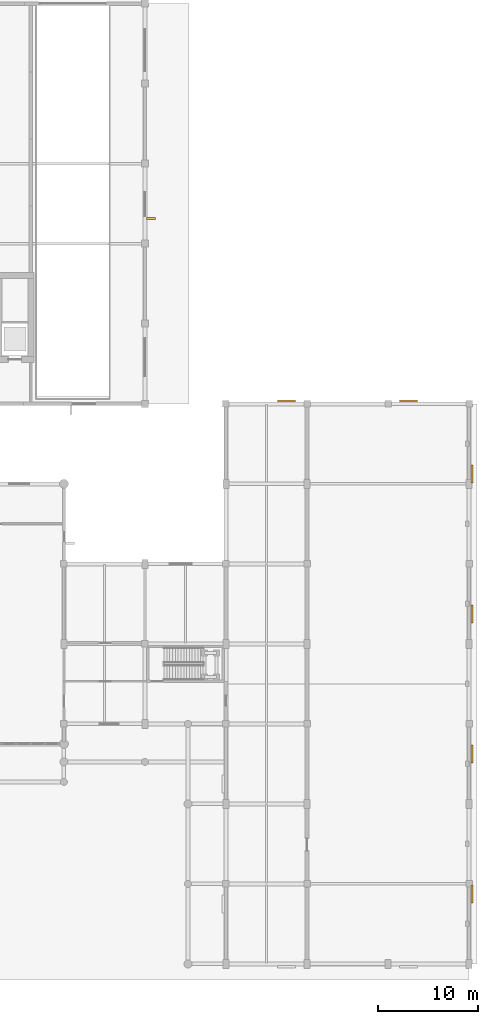
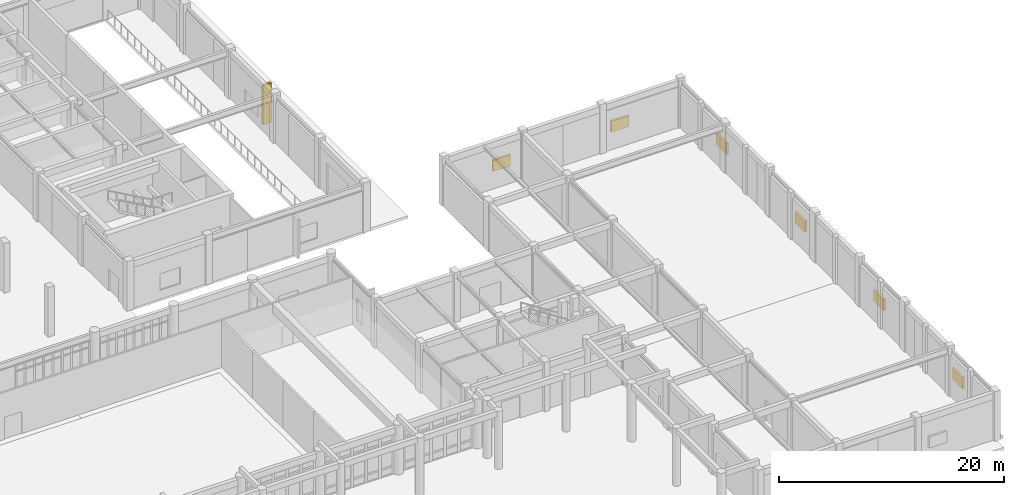
# One storey, part 61 of 62: 7 shading devices.
"""IFC4 building model written with IfcOpenShell, lengths in metres."""

from ifc_helpers import new_model, si_unit, direction, frame, origin, origin_2d, place, context, subcontext, project, spatial, rectangle, extrude, material, layer, layer_set, material_profile, profile_set, type_object, element, save


model = new_model("IFC4")

# Units and contexts
model_context = context("Model", 3, precision=1e-05, world=origin(), true_north=direction((0.0, 1.0)))
body_context = subcontext(model_context, "Body", "Model", "MODEL_VIEW")
ifc_project = project(units=[si_unit("LENGTHUNIT", "METRE"), si_unit("AREAUNIT", "SQUARE_METRE"), si_unit("VOLUMEUNIT", "CUBIC_METRE"), si_unit("PLANEANGLEUNIT", "RADIAN"), si_unit("MASSUNIT", "GRAM", prefix="KILO")], contexts=[model_context])

# Site, building, storey
site_placement = place(None, origin())
site = spatial("IfcSite", under=ifc_project, at=site_placement, CompositionType="ELEMENT")
building_placement = place(site_placement, origin())
building = spatial("IfcBuilding", under=site, at=building_placement, Name="Tarnveldt Square Police Headquarters", CompositionType="ELEMENT")
storey_placement = place(building_placement, origin())
storey = spatial("IfcBuildingStorey", under=building, at=storey_placement, Name="L00", CompositionType="ELEMENT", Elevation=0.0)

# Shading devices
ifc_material_1 = material(Name="Precast concrete 35 MPa", Category="concrete")
ifc_material_profile = material_profile(ifc_material_1, rectangle(XDim=0.219970703125, YDim=0.89990234375, at=origin_2d()), Name="PC-FIN220x900")
ifc_profile_set = profile_set([ifc_material_profile], Name="Precast concrete 35 MPa")
shading_device_type_1 = type_object("IfcShadingDeviceType", Name="SHD-FIN-900", PredefinedType="USERDEFINED", material=ifc_profile_set)
shading_device_placement = place(storey_placement, frame((130.205078125, 74.533447265625, 0.14990234375), z_axis=(0.0, 0.0, 1.0), x_axis=(0.0, 1.0, 0.0)))
element("IfcShadingDevice", 1, at=shading_device_placement, inside=storey, type_object=shading_device_type_1, Name="L00 Precast Deep-Reveal Brutalist Fin 007", ObjectType="SOLAR SHADING FIN", PredefinedType="USERDEFINED", context=body_context, shape_type="SweptSolid", body=[
    extrude(rectangle(XDim=0.219970703125, YDim=0.89990234375, at=origin_2d()), origin(), (0.0, 0.0, 1.0), 4.31201171875),
])
ifc_material_2 = material(Name="Thermally broken anodised aluminium 6063-T6", Category="aluminium")
ifc_layer = layer(ifc_material_2, 0.219970703125)
ifc_layer_set = layer_set([ifc_layer], Name="Thermally broken anodised aluminium 6063-T6")
shading_device_type_2 = type_object("IfcShadingDeviceType", Name="SHD-LVR-1800", PredefinedType="USERDEFINED", material=ifc_layer_set)
for number, where, z_axis, x_axis, name in (
    (2, (162.280029296875, 7.0, 1.60009765625), (0.0, 0.0, 1.0), (0.0, 1.0, 0.0), "Acoustic Firing-Range Intake Louvre 5"),
    (3, (162.280029296875, 21.0, 1.60009765625), (0.0, 0.0, 1.0), (0.0, 1.0, 0.0), "Acoustic Firing-Range Intake Louvre 6"),
    (4, (162.280029296875, 35.0, 1.60009765625), (0.0, 0.0, 1.0), (0.0, 1.0, 0.0), "Acoustic Firing-Range Intake Louvre 7"),
    (5, (162.280029296875, 49.0, 1.60009765625), (0.0, 0.0, 1.0), (0.0, 1.0, 0.0), "Acoustic Firing-Range Intake Louvre 8"),
    (6, (155.925048828125, 56.280029296875, 1.60009765625), (0.0, 0.0, 1.0), (-1.0, 0.0, 0.0), "Acoustic Firing-Range Intake Louvre 9"),
    (7, (143.77490234375, 56.280029296875, 1.60009765625), (0.0, 0.0, 1.0), (-1.0, 0.0, 0.0), "Acoustic Firing-Range Intake Louvre 10"),
):
    element("IfcShadingDevice", number, at=place(storey_placement, frame(where, z_axis=z_axis, x_axis=x_axis)), inside=storey, type_object=shading_device_type_2, Name=name, ObjectType="ACOUSTIC LOUVER", PredefinedType="USERDEFINED", context=body_context, shape_type="SweptSolid", body=[
        extrude(rectangle(XDim=1.800048828125, YDim=0.219970703125, at=origin_2d()), origin(), (0.0, 0.0, 1.0), 1.199951171875),
    ])

save(model, "model.ifc")
